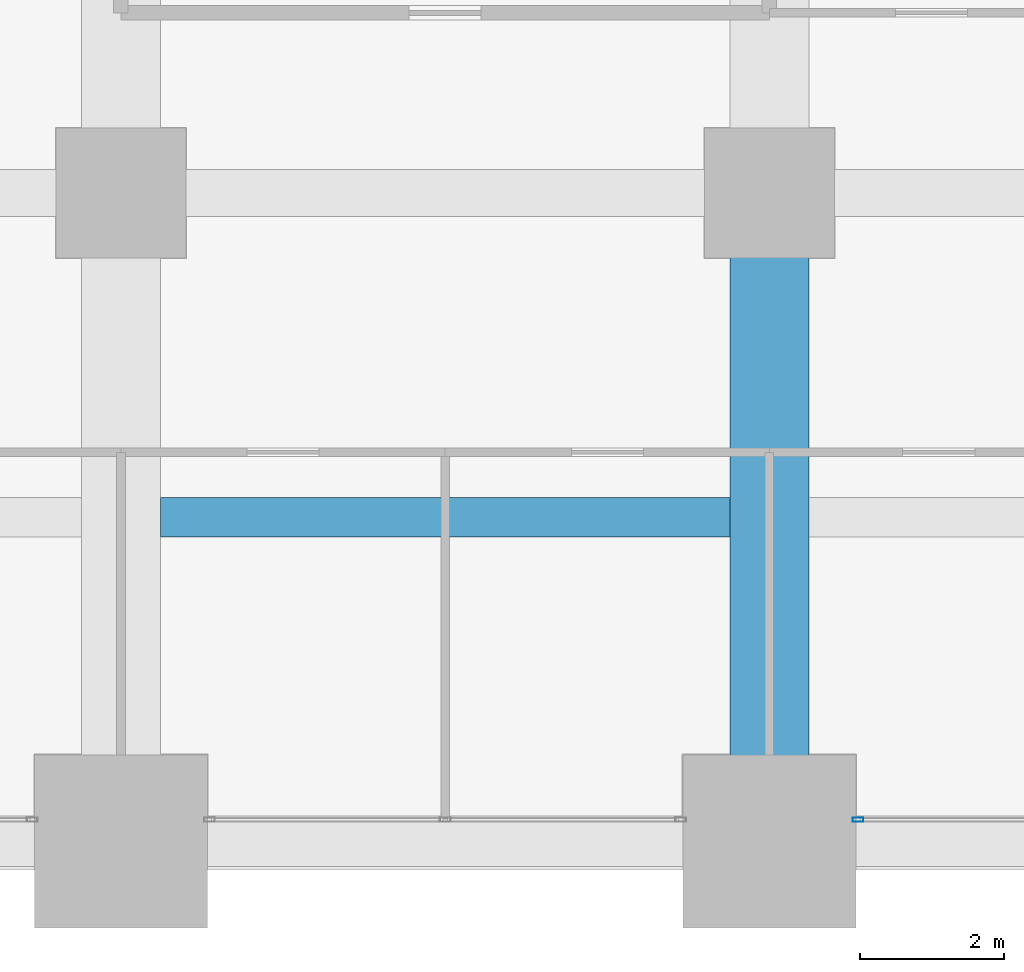
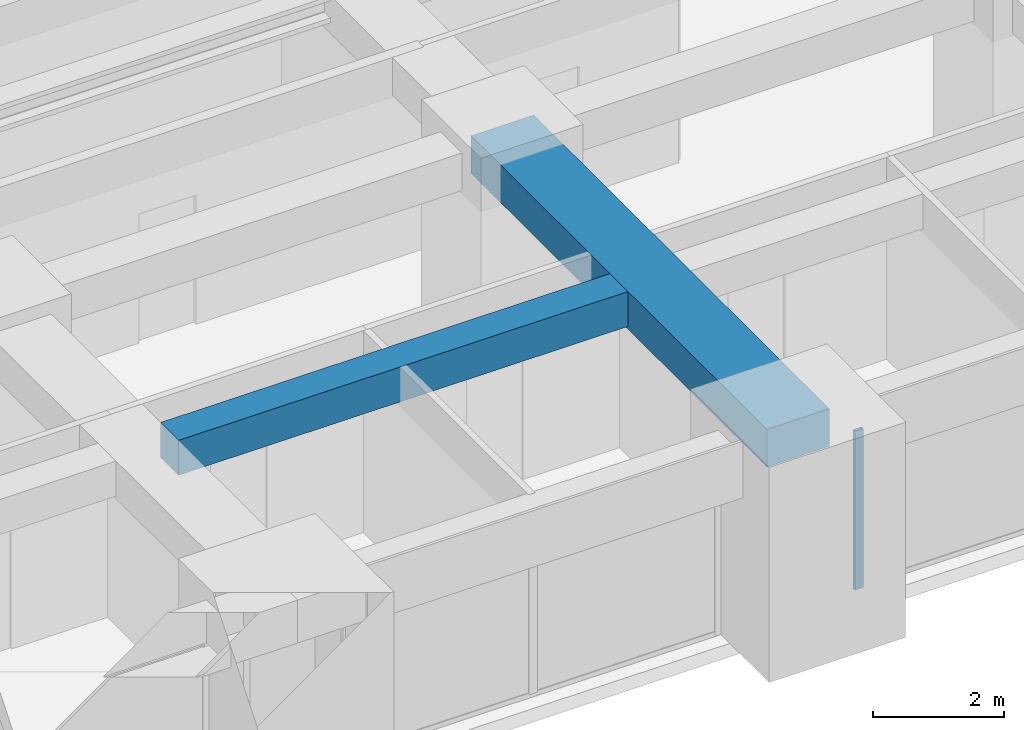
# One storey, part 14 of 40: 2 beams, 1 member, 1 element without a shape of its own.
"""IFC4 building model written with IfcOpenShell, lengths in metres."""

from ifc_helpers import new_model, si_unit, direction, frame, origin, origin_2d, place, context, subcontext, project, spatial, rectangle, hollow_rectangle, extrude, material, material_profile, profile_set, type_object, element, aggregate, save


model = new_model("IFC4")

# Units and contexts
model_context = context("Model", 3, precision=1e-05, world=origin(), true_north=direction((0.0, 1.0)))
body_context = subcontext(model_context, "Body", "Model", "MODEL_VIEW")
ifc_project = project(units=[si_unit("LENGTHUNIT", "METRE"), si_unit("AREAUNIT", "SQUARE_METRE"), si_unit("VOLUMEUNIT", "CUBIC_METRE"), si_unit("PLANEANGLEUNIT", "RADIAN"), si_unit("MASSUNIT", "GRAM", prefix="KILO")], contexts=[model_context])

# Site, building, storey
site_placement = place(None, origin())
site = spatial("IfcSite", under=ifc_project, at=site_placement, CompositionType="ELEMENT")
building_placement = place(site_placement, origin())
building = spatial("IfcBuilding", under=site, at=building_placement, Name="Zorevar Civic Tower", CompositionType="ELEMENT")
storey_placement = place(building_placement, frame((0.0, 0.0, 129.0)))
storey = spatial("IfcBuildingStorey", under=building, at=storey_placement, Name="L31", CompositionType="ELEMENT", Elevation=129.0)

# Beams
ifc_material_1 = material(Name="Concrete C50/60", Category="concrete")
ifc_material_profile_1 = material_profile(ifc_material_1, rectangle(XDim=1.10009765625, YDim=0.699951171875, at=origin_2d()), Name="RC 1100x700")
ifc_profile_set_1 = profile_set([ifc_material_profile_1], Name="Concrete C50/60")
beam_type_1 = type_object("IfcBeamType", Name="Beam RC 1100x700", PredefinedType="BEAM", material=ifc_profile_set_1)
beam_1_placement = place(storey_placement, frame((45.0, 0.0, 3.39990234375), z_axis=(0.0, 1.0, 0.0), x_axis=(-1.0, 0.0, 0.0)))
element("IfcBeam", 1, at=beam_1_placement, inside=storey, type_object=beam_type_1, Name="Girder L32", PredefinedType="BEAM", context=body_context, shape_type="SweptSolid", body=[
    extrude(rectangle(XDim=1.10009765625, YDim=0.699951171875, at=origin_2d()), origin(), (0.0, 0.0, 1.0), 9.0),
])
ifc_material_2 = material(Name="Concrete C50/60", Category="concrete")
ifc_material_profile_2 = material_profile(ifc_material_2, rectangle(XDim=0.550048828125, YDim=0.64990234375, at=origin_2d()), Name="RC 550x650")
ifc_profile_set_2 = profile_set([ifc_material_profile_2], Name="Concrete C50/60")
beam_type_2 = type_object("IfcBeamType", Name="Beam RC 550x650", PredefinedType="BEAM", material=ifc_profile_set_2)
beam_2_placement = place(storey_placement, frame((36.550048828125, 4.5, 3.425048828125), z_axis=(1.0, 0.0, 0.0), x_axis=(0.0, 1.0, 0.0)))
element("IfcBeam", 2, at=beam_2_placement, inside=storey, type_object=beam_type_2, Name="Secondary beam L32", PredefinedType="BEAM", context=body_context, shape_type="SweptSolid", body=[
    extrude(rectangle(XDim=0.550048828125, YDim=0.64990234375, at=origin_2d()), origin(), (0.0, 0.0, 1.0), 7.89990234375),
])

# Curtain wall, member
ifc_material_3 = material(Name="Dark grey solar-control glass in black aluminium frame", Category="aluminium")
curtain_wall_type = type_object("IfcCurtainWallType", Name="Curtain wall CW3 mid zone", PredefinedType="NOTDEFINED", material=ifc_material_3)
curtain_wall_placement = place(storey_placement, origin())
curtain_wall = element("IfcCurtainWall", 3, at=curtain_wall_placement, inside=storey, type_object=curtain_wall_type, Name="CW3 L31", PredefinedType="NOTDEFINED")
ifc_material_4 = material(Name="Aluminium, black anodised", Category="aluminium")
ifc_material_profile_3 = material_profile(ifc_material_4, hollow_rectangle(XDim=0.06005859375, YDim=0.14990234375, WallThickness=0.00390625, at=origin_2d()), Name="AL 150x60x4")
ifc_profile_set_3 = profile_set([ifc_material_profile_3], Name="Aluminium, black anodised")
member_type = type_object("IfcMemberType", Name="CW3 mullion AL 150x60x4", PredefinedType="MULLION", material=ifc_profile_set_3)
member_placement = place(storey_placement, frame((46.22998046875, 0.300048828125, 0.0), z_axis=(0.0, 0.0, 1.0), x_axis=(0.0, 1.0, 0.0)))
member = element("IfcMember", 4, at=member_placement, type_object=member_type, Name="CW3 mullion 1", PredefinedType="MULLION", context=body_context, shape_type="SweptSolid", body=[
    extrude(hollow_rectangle(XDim=0.06005859375, YDim=0.14990234375, WallThickness=0.00390625, at=origin_2d()), origin(), (0.0, 0.0, 1.0), 2.949951171875),
])
aggregate(curtain_wall, [member])

save(model, "model.ifc")
